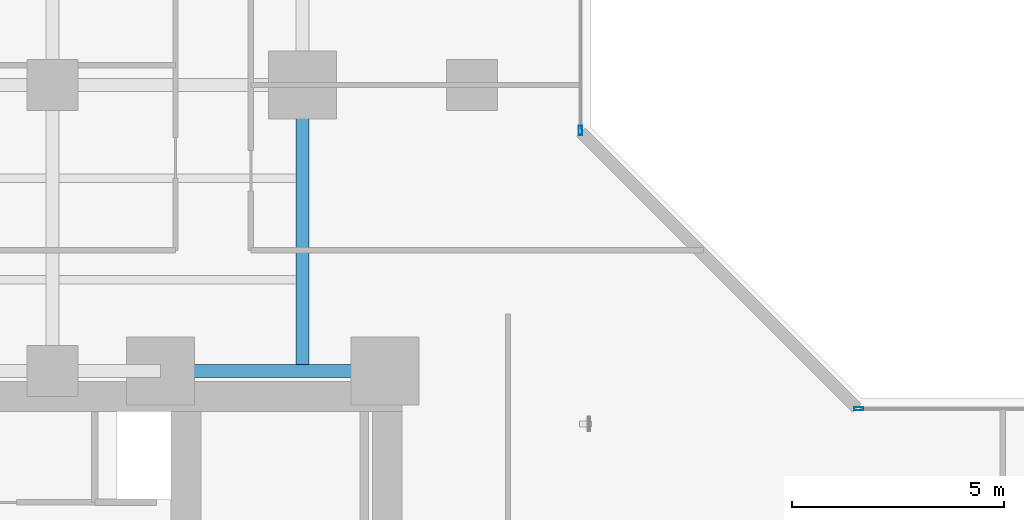
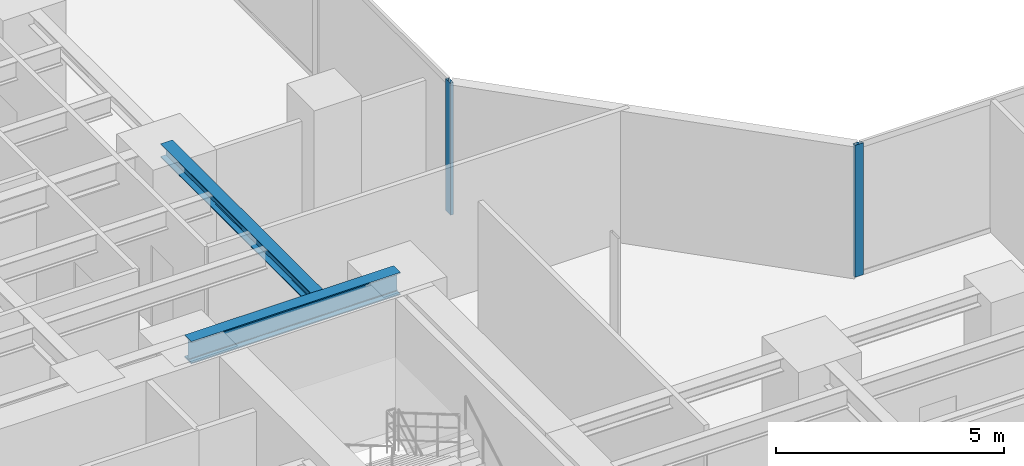
# One storey, part 8 of 27: 2 beams, 2 members, 2 elements without a shape of their own.
"""IFC4 building model written with IfcOpenShell, lengths in metres."""

from ifc_helpers import new_model, si_unit, direction, frame, origin, origin_with_axes, origin_2d, place, context, subcontext, project, spatial, hollow_rectangle, i_section, extrude, source, transform, mapped, material, layer, layer_set, material_profile, profile_set, type_object, element, aggregate, save


model = new_model("IFC4")

# Units and contexts
model_context = context("Model", 3, precision=1e-05, world=origin(), true_north=direction((0.0, 1.0)))
body_context = subcontext(model_context, "Body", "Model", "MODEL_VIEW")
ifc_project = project(units=[si_unit("LENGTHUNIT", "METRE"), si_unit("AREAUNIT", "SQUARE_METRE"), si_unit("VOLUMEUNIT", "CUBIC_METRE"), si_unit("PLANEANGLEUNIT", "RADIAN"), si_unit("MASSUNIT", "GRAM", prefix="KILO")], contexts=[model_context])

# Site, building, storey
site_placement = place(None, origin())
site = spatial("IfcSite", under=ifc_project, at=site_placement, CompositionType="ELEMENT")
building_placement = place(site_placement, origin())
building = spatial("IfcBuilding", under=site, at=building_placement, Name="Kolvaren Waterfront Exchange", CompositionType="ELEMENT")
storey_placement = place(building_placement, frame((0.0, 0.0, 63.800048828125)))
storey = spatial("IfcBuildingStorey", under=building, at=storey_placement, Name="L16", CompositionType="ELEMENT", Elevation=63.800048828125)

# Beams
ifc_material_1 = material(Name="Steel S355", Category="steel")
ifc_material_profile_1 = material_profile(ifc_material_1, i_section(OverallWidth=0.300048828125, OverallDepth=0.360107421875, WebThickness=0.012451171875, FlangeThickness=0.0224609375, FilletRadius=0.027099609375, at=origin_2d()), Name="HEB360")
ifc_profile_set_1 = profile_set([ifc_material_profile_1], Name="Steel S355")
beam_type_1 = type_object("IfcBeamType", Name="STR-BM-HEB360", PredefinedType="SPANDREL", material=ifc_profile_set_1)
beam_1_placement = place(storey_placement, frame((18.800048828125, 24.449951171875, 3.35986328125), z_axis=(0.0, 1.0, 0.0), x_axis=(-1.0, 0.0, 0.0)))
element("IfcBeam", 1, at=beam_1_placement, inside=storey, type_object=beam_type_1, Name="L16 north-arm edge beam 1", PredefinedType="SPANDREL", context=body_context, shape_type="SweptSolid", body=[
    extrude(i_section(OverallWidth=0.300048828125, OverallDepth=0.360107421875, WebThickness=0.012451171875, FlangeThickness=0.0224609375, FilletRadius=0.027099609375, at=origin_2d()), origin(), (0.0, 0.0, 1.0), 6.75),
])
ifc_material_profile_2 = material_profile(ifc_material_1, i_section(OverallWidth=0.300048828125, OverallDepth=0.60009765625, WebThickness=0.015380859375, FlangeThickness=0.030029296875, FilletRadius=0.027099609375, at=origin_2d()), Name="HEB600")
ifc_profile_set_2 = profile_set([ifc_material_profile_2], Name="Steel S355")
beam_type_2 = type_object("IfcBeamType", Name="STR-BM-HEB600", PredefinedType="BEAM", material=ifc_profile_set_2)
beam_2_placement = place(storey_placement, frame((15.449951171875, 24.449951171875, 3.239990234375), z_axis=(1.0, 0.0, 0.0), x_axis=(0.0, 1.0, 0.0)))
element("IfcBeam", 2, at=beam_2_placement, inside=storey, type_object=beam_type_2, Name="L16 north-arm girder 1C", PredefinedType="BEAM", context=body_context, shape_type="SweptSolid", body=[
    extrude(i_section(OverallWidth=0.300048828125, OverallDepth=0.60009765625, WebThickness=0.015380859375, FlangeThickness=0.030029296875, FilletRadius=0.027099609375, at=origin_2d()), origin(), (0.0, 0.0, 1.0), 5.300048828125),
])

# Curtain wall, member
ifc_material_2 = material(Name="Anodised bronze aluminium 6063-T6", Category="aluminium")
ifc_layer = layer(ifc_material_2, 0.219970703125, Name="Anodised bronze aluminium 6063-T6")
ifc_layer_set = layer_set([ifc_layer], Name="Anodised bronze aluminium 6063-T6")
curtain_wall_type = type_object("IfcCurtainWallType", Name="ARC-CW-SYS1", PredefinedType="USERDEFINED", material=ifc_layer_set)
curtain_wall_1_placement = place(storey_placement, origin())
curtain_wall_1 = element("IfcCurtainWall", 3, at=curtain_wall_1_placement, inside=storey, type_object=curtain_wall_type, Name="L16 stick curtain wall CW1 (CW-L16-NE)", ObjectType="STICK CURTAIN WALL", PredefinedType="USERDEFINED")
ifc_material_3 = material(Name="Anodised aluminium 6063-T6", Category="aluminium")
ifc_material_profile_3 = material_profile(ifc_material_3, hollow_rectangle(XDim=0.080078125, YDim=0.219970703125, WallThickness=0.0048828125, at=origin_2d()), Name="ALU-MUL-220x80x5")
ifc_profile_set_3 = profile_set([ifc_material_profile_3], Name="Anodised aluminium 6063-T6")
member_type = type_object("IfcMemberType", Name="ARC-CWM-220", PredefinedType="MULLION", material=ifc_profile_set_3)
shared_shape = source(origin_with_axes(), body_context, "Body", "SweptSolid", [
    extrude(hollow_rectangle(XDim=0.080078125, YDim=0.219970703125, WallThickness=0.0048828125, at=origin_2d()), origin(), (0.0, 0.0, 1.0), 3.5400390625),
])
member_1_placement = place(storey_placement, frame((25.360107421875, 30.1298828125, 0.0), z_axis=(0.0, 0.0, 1.0), x_axis=(-1.0, 0.0, 0.0)))
member_1 = element("IfcMember", 4, at=member_1_placement, type_object=member_type, Name="CW1 mullion 1", PredefinedType="MULLION", context=body_context, shape_type="MappedRepresentation", body=[
    mapped(shared_shape, transform((0.0, 0.0, 0.0), x_axis=(1.0, 0.0, 0.0), y_axis=(0.0, 1.0, 0.0), z_axis=(0.0, 0.0, 1.0), scale=1.0)),
])
aggregate(curtain_wall_1, [member_1])

curtain_wall_2_placement = place(storey_placement, origin())
curtain_wall_2 = element("IfcCurtainWall", 5, at=curtain_wall_2_placement, inside=storey, type_object=curtain_wall_type, Name="L16 stick curtain wall CW1 (CW-L16-EN)", ObjectType="STICK CURTAIN WALL", PredefinedType="USERDEFINED")
member_2_placement = place(storey_placement, frame((31.929931640625, 23.56005859375, 0.0), z_axis=(0.0, 0.0, 1.0), x_axis=(0.0, 1.0, 0.0)))
member_2 = element("IfcMember", 6, at=member_2_placement, type_object=member_type, Name="CW1 mullion 1", PredefinedType="MULLION", context=body_context, shape_type="MappedRepresentation", body=[
    mapped(shared_shape, transform((0.0, 0.0, 0.0), x_axis=(1.0, 0.0, 0.0), y_axis=(0.0, 1.0, 0.0), z_axis=(0.0, 0.0, 1.0), scale=1.0)),
])
aggregate(curtain_wall_2, [member_2])

save(model, "model.ifc")
